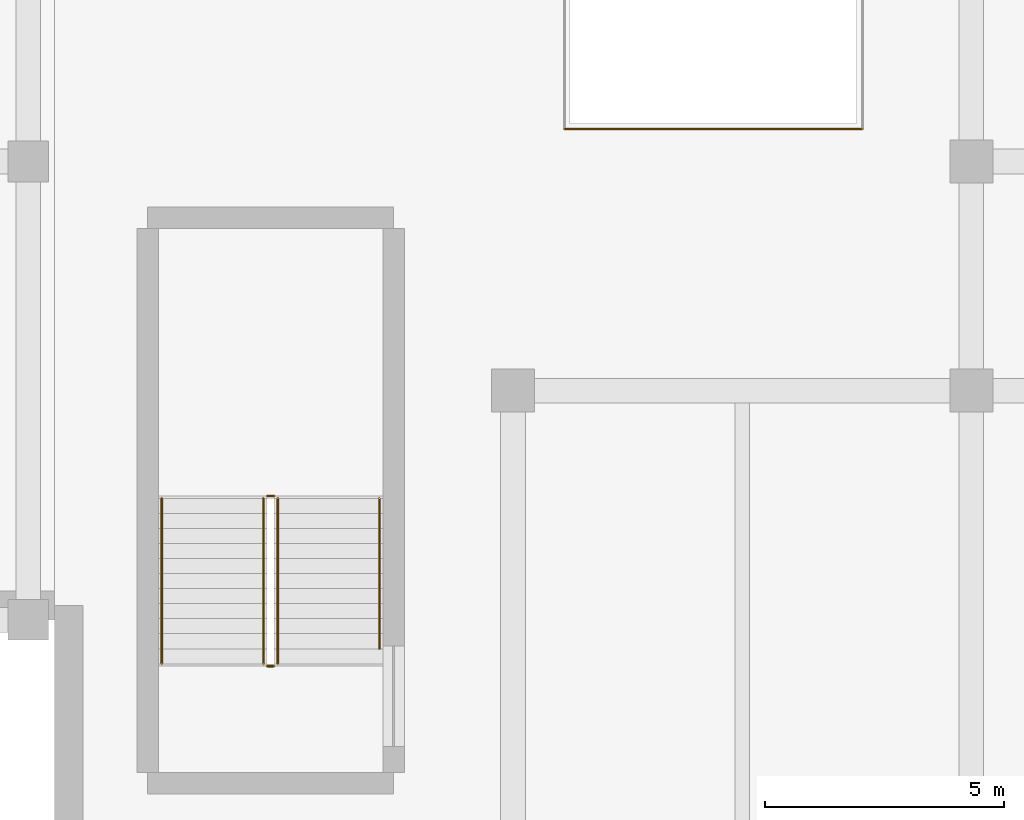
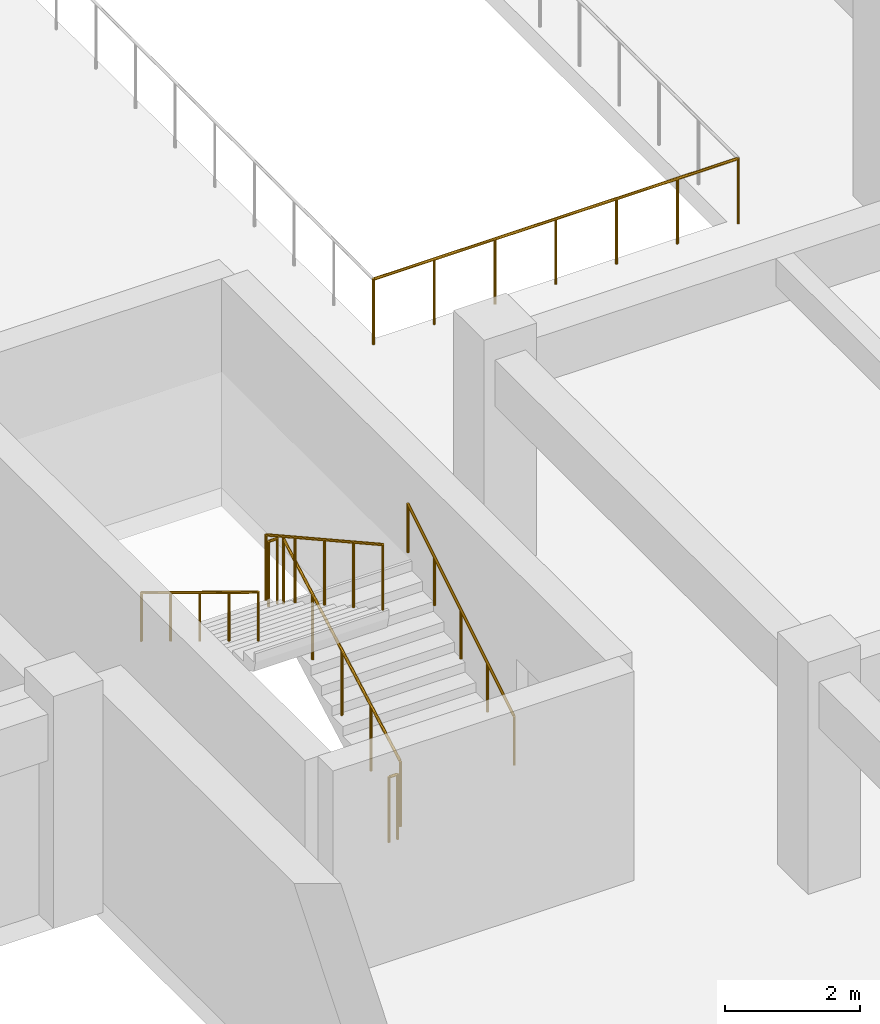
# One storey, part 26 of 39: 7 railings.
"""IFC4 building model written with IfcOpenShell, lengths in metres."""

from ifc_helpers import new_model, si_unit, direction, frame, origin, origin_2d, place, context, subcontext, project, spatial, circle, extrude, material, type_object, element, save


model = new_model("IFC4")

# Units and contexts
model_context = context("Model", 3, precision=1e-05, world=origin(), true_north=direction((0.0, 1.0)))
body_context = subcontext(model_context, "Body", "Model", "MODEL_VIEW")
ifc_project = project(units=[si_unit("LENGTHUNIT", "METRE"), si_unit("AREAUNIT", "SQUARE_METRE"), si_unit("VOLUMEUNIT", "CUBIC_METRE"), si_unit("PLANEANGLEUNIT", "RADIAN"), si_unit("MASSUNIT", "GRAM", prefix="KILO")], contexts=[model_context])

# Site, building, storey
site_placement = place(None, origin())
site = spatial("IfcSite", under=ifc_project, at=site_placement, CompositionType="ELEMENT")
building_placement = place(site_placement, origin())
building = spatial("IfcBuilding", under=site, at=building_placement, Name="Nakhvara Creek Congress Hotel", CompositionType="ELEMENT")
storey_placement = place(building_placement, frame((0.0, 0.0, -4.199951171875)))
storey = spatial("IfcBuildingStorey", under=building, at=storey_placement, Name="B1", CompositionType="ELEMENT", Elevation=-4.199951171875)

# Railings
ifc_material = material(Name="Brushed stainless steel 316L", Category="steel")
railing_type_1 = type_object("IfcRailingType", Name="RL-GUARD-1200", PredefinedType="GUARDRAIL", material=ifc_material)
railing_1_placement = place(storey_placement, frame((62.27490234375, 32.679931640625, 0.175048828125)))
element("IfcRailing", 1, at=railing_1_placement, inside=storey, type_object=railing_type_1, Name="B1 ST13 stair guard 1", PredefinedType="GUARDRAIL", context=body_context, shape_type="SweptSolid", body=[
    extrude(circle(Radius=0.02392578125, at=origin_2d()), frame((0.0, 0.012939453125, 1.18310546875), z_axis=(0.0, 0.874183422646, 0.48559586445), x_axis=(-1.0, 0.0, 0.0)), (0.0, 0.0, 1.0), 3.934326171875),
    extrude(circle(Radius=0.02099609375, at=origin_2d()), origin(), (0.0, 0.0, 1.0), 1.1806640625),
    extrude(circle(Radius=0.02099609375, at=origin_2d()), frame((0.0, 0.8662109375, 0.481201171875)), (0.0, 0.0, 1.0), 1.1806640625),
    extrude(circle(Radius=0.02099609375, at=origin_2d()), frame((0.0, 1.732421875, 0.96240234375)), (0.0, 0.0, 1.0), 1.1806640625),
    extrude(circle(Radius=0.02099609375, at=origin_2d()), frame((0.0, 2.598876953125, 1.443603515625)), (0.0, 0.0, 1.0), 1.1806640625),
    extrude(circle(Radius=0.02099609375, at=origin_2d()), frame((0.0, 3.465087890625, 1.9248046875)), (0.0, 0.0, 1.0), 1.1806640625),
])
railing_2_placement = place(storey_placement, frame((62.199951171875, 36.195068359375, 2.099853515625)))
element("IfcRailing", 2, at=railing_2_placement, inside=storey, type_object=railing_type_1, Name="B1 ST13 stair guard 2", PredefinedType="GUARDRAIL", context=body_context, shape_type="SweptSolid", body=[
    extrude(circle(Radius=0.02392578125, at=origin_2d()), frame((-0.0146484375, 0.0, 1.17578125), z_axis=(-1.0, 0.0, 0.0), x_axis=(0.0, -1.0, 0.0)), (0.0, 0.0, 1.0), 0.12060546875),
    extrude(circle(Radius=0.02099609375, at=origin_2d()), origin(), (0.0, 0.0, 1.0), 1.1806640625),
    extrude(circle(Radius=0.02099609375, at=origin_2d()), frame((-0.14990234375, 0.0, 0.0)), (0.0, 0.0, 1.0), 1.1806640625),
])
railing_3_placement = place(storey_placement, frame((61.97509765625, 36.14501953125, 2.27490234375)))
element("IfcRailing", 3, at=railing_3_placement, inside=storey, type_object=railing_type_1, Name="B1 ST13 stair guard 3", PredefinedType="GUARDRAIL", context=body_context, shape_type="SweptSolid", body=[
    extrude(circle(Radius=0.02392578125, at=origin_2d()), frame((0.0, -0.012939453125, 1.18310546875), z_axis=(0.0, -0.874157276122, 0.485642931179), x_axis=(1.0, 0.0, 0.0)), (0.0, 0.0, 1.0), 3.9345703125),
    extrude(circle(Radius=0.02099609375, at=origin_2d()), origin(), (0.0, 0.0, 1.0), 1.1806640625),
    extrude(circle(Radius=0.02099609375, at=origin_2d()), frame((0.0, -0.8662109375, 0.481201171875)), (0.0, 0.0, 1.0), 1.1806640625),
    extrude(circle(Radius=0.02099609375, at=origin_2d()), frame((0.0, -1.732421875, 0.96240234375)), (0.0, 0.0, 1.0), 1.1806640625),
    extrude(circle(Radius=0.02099609375, at=origin_2d()), frame((0.0, -2.598876953125, 1.44384765625)), (0.0, 0.0, 1.0), 1.1806640625),
    extrude(circle(Radius=0.02099609375, at=origin_2d()), frame((0.0, -3.465087890625, 1.925048828125)), (0.0, 0.0, 1.0), 1.1806640625),
])
railing_4_placement = place(storey_placement, frame((62.199951171875, 32.6298828125, 0.0)))
element("IfcRailing", 4, at=railing_4_placement, inside=storey, type_object=railing_type_1, Name="B1 ST13 stair guard 4", PredefinedType="GUARDRAIL", context=body_context, shape_type="SweptSolid", body=[
    extrude(circle(Radius=0.02392578125, at=origin_2d()), frame((-0.0146484375, 0.0, 1.17578125), z_axis=(-1.0, 0.0, 0.0), x_axis=(0.0, -1.0, 0.0)), (0.0, 0.0, 1.0), 0.12060546875),
    extrude(circle(Radius=0.02099609375, at=origin_2d()), origin(), (0.0, 0.0, 1.0), 1.1806640625),
    extrude(circle(Radius=0.02099609375, at=origin_2d()), frame((-0.14990234375, 0.0, 0.0)), (0.0, 0.0, 1.0), 1.1806640625),
])
railing_5_placement = place(storey_placement, frame((68.280029296875, 43.8798828125, 0.0)))
element("IfcRailing", 5, at=railing_5_placement, inside=storey, type_object=railing_type_1, Name="Ramp Well Head Guard VR1-S", PredefinedType="GUARDRAIL", context=body_context, shape_type="SweptSolid", body=[
    extrude(circle(Radius=0.02392578125, at=origin_2d()), frame((0.0146484375, 0.0, 1.17578125), z_axis=(1.0, 0.0, 0.0), x_axis=(0.0, 1.0, 0.0)), (0.0, 0.0, 1.0), 6.210693359375),
    extrude(circle(Radius=0.02099609375, at=origin_2d()), origin(), (0.0, 0.0, 1.0), 1.1806640625),
    extrude(circle(Radius=0.02099609375, at=origin_2d()), frame((1.0400390625, 0.0, 0.0)), (0.0, 0.0, 1.0), 1.1806640625),
    extrude(circle(Radius=0.02099609375, at=origin_2d()), frame((2.080078125, 0.0, 0.0)), (0.0, 0.0, 1.0), 1.1806640625),
    extrude(circle(Radius=0.02099609375, at=origin_2d()), frame((3.1201171875, 0.0, 0.0)), (0.0, 0.0, 1.0), 1.1806640625),
    extrude(circle(Radius=0.02099609375, at=origin_2d()), frame((4.159912109375, 0.0, 0.0)), (0.0, 0.0, 1.0), 1.1806640625),
    extrude(circle(Radius=0.02099609375, at=origin_2d()), frame((5.199951171875, 0.0, 0.0)), (0.0, 0.0, 1.0), 1.1806640625),
    extrude(circle(Radius=0.02099609375, at=origin_2d()), frame((6.239990234375, 0.0, 0.0)), (0.0, 0.0, 1.0), 1.1806640625),
])
railing_type_2 = type_object("IfcRailingType", Name="RL-HAND-900", PredefinedType="HANDRAIL", material=ifc_material)
railing_6_placement = place(storey_placement, frame((64.405029296875, 32.9951171875, 0.349853515625)))
element("IfcRailing", 6, at=railing_6_placement, inside=storey, type_object=railing_type_2, Name="B1 ST13 stair handrail 1", PredefinedType="HANDRAIL", context=body_context, shape_type="SweptSolid", body=[
    extrude(circle(Radius=0.02392578125, at=origin_2d()), frame((0.0, 0.012451171875, 0.883544921875), z_axis=(0.0, 0.85194385619, 0.523633140567), x_axis=(-1.0, 0.0, 0.0)), (0.0, 0.0, 1.0), 3.66796875),
    extrude(circle(Radius=0.02099609375, at=origin_2d()), origin(), (0.0, 0.0, 1.0), 0.880615234375),
    extrude(circle(Radius=0.02099609375, at=origin_2d()), frame((0.0, 0.78759765625, 0.48388671875)), (0.0, 0.0, 1.0), 0.880615234375),
    extrude(circle(Radius=0.02099609375, at=origin_2d()), frame((0.0, 1.574951171875, 0.968017578125)), (0.0, 0.0, 1.0), 0.880615234375),
    extrude(circle(Radius=0.02099609375, at=origin_2d()), frame((0.0, 2.3623046875, 1.4521484375)), (0.0, 0.0, 1.0), 0.880615234375),
    extrude(circle(Radius=0.02099609375, at=origin_2d()), frame((0.0, 3.14990234375, 1.93603515625)), (0.0, 0.0, 1.0), 0.880615234375),
])
railing_7_placement = place(storey_placement, frame((59.844970703125, 36.14501953125, 2.27490234375)))
element("IfcRailing", 7, at=railing_7_placement, inside=storey, type_object=railing_type_2, Name="B1 ST13 stair handrail 2", PredefinedType="HANDRAIL", context=body_context, shape_type="SweptSolid", body=[
    extrude(circle(Radius=0.02392578125, at=origin_2d()), frame((0.0, -0.012451171875, 0.883544921875), z_axis=(0.0, -0.853990507121, 0.520288586985), x_axis=(1.0, 0.0, 0.0)), (0.0, 0.0, 1.0), 4.028076171875),
    extrude(circle(Radius=0.02099609375, at=origin_2d()), origin(), (0.0, 0.0, 1.0), 0.880615234375),
    extrude(circle(Radius=0.02099609375, at=origin_2d()), frame((0.0, -0.8662109375, 0.52783203125)), (0.0, 0.0, 1.0), 0.880615234375),
    extrude(circle(Radius=0.02099609375, at=origin_2d()), frame((0.0, -1.732421875, 1.0556640625)), (0.0, 0.0, 1.0), 0.880615234375),
    extrude(circle(Radius=0.02099609375, at=origin_2d()), frame((0.0, -2.598876953125, 1.583251953125)), (0.0, 0.0, 1.0), 0.880615234375),
    extrude(circle(Radius=0.02099609375, at=origin_2d()), frame((0.0, -3.465087890625, 2.111083984375)), (0.0, 0.0, 1.0), 0.880615234375),
])

save(model, "model.ifc")
